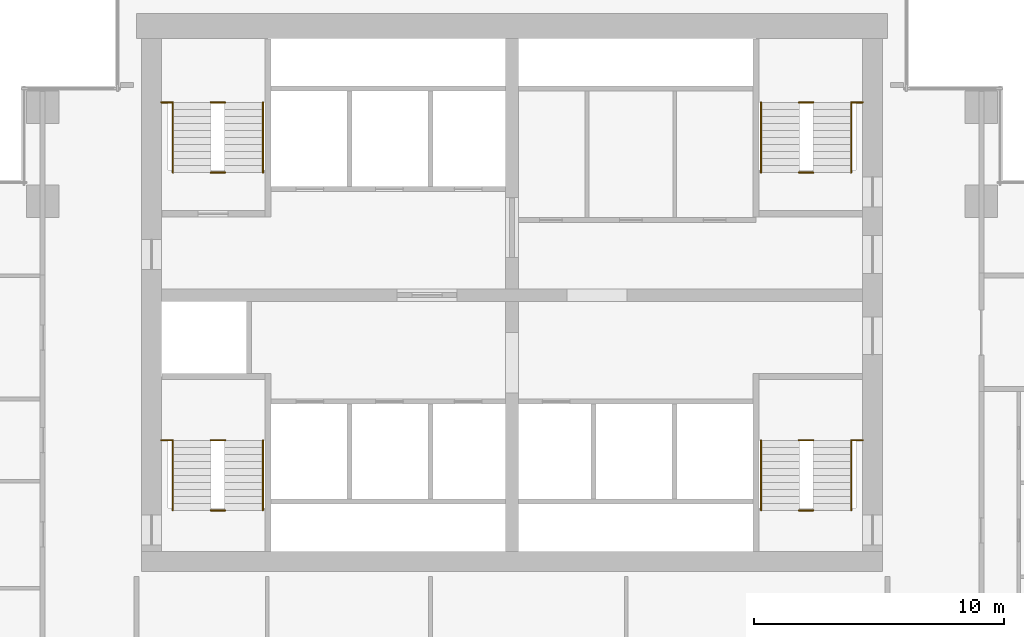
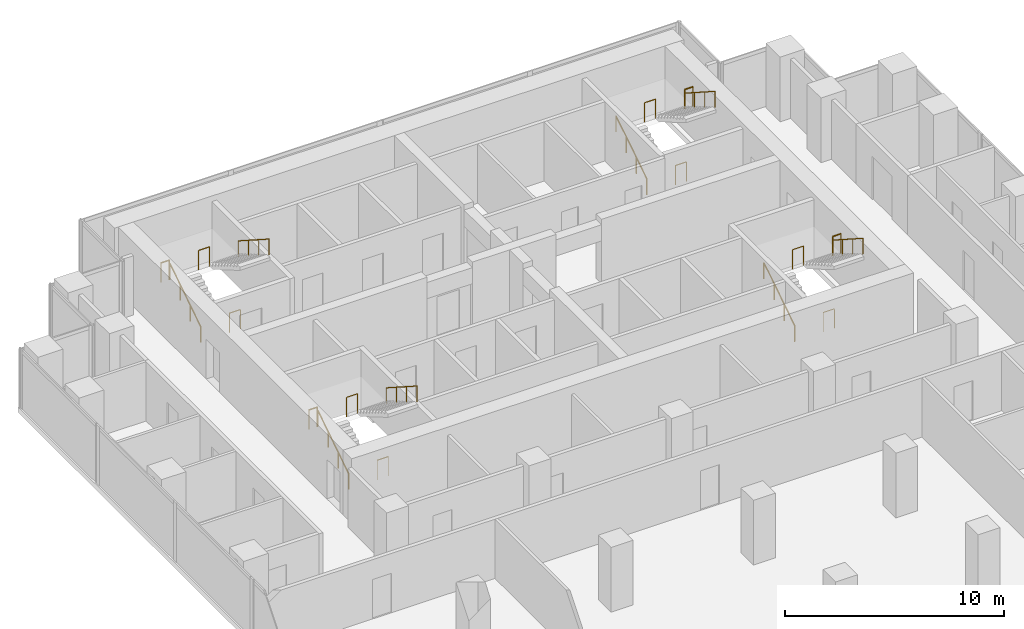
# One storey, part 10 of 10: 20 railings.
"""IFC4 building model written with IfcOpenShell, lengths in metres."""

from ifc_helpers import new_model, si_unit, direction, frame, origin, origin_2d, place, context, subcontext, project, spatial, circle, extrude, material, type_object, element, save


model = new_model("IFC4")

# Units and contexts
model_context = context("Model", 3, precision=1e-05, world=origin(), true_north=direction((0.0, 1.0)))
body_context = subcontext(model_context, "Body", "Model", "MODEL_VIEW")
ifc_project = project(units=[si_unit("LENGTHUNIT", "METRE"), si_unit("AREAUNIT", "SQUARE_METRE"), si_unit("VOLUMEUNIT", "CUBIC_METRE"), si_unit("PLANEANGLEUNIT", "RADIAN"), si_unit("MASSUNIT", "GRAM", prefix="KILO")], contexts=[model_context])

# Site, building, storey
site_placement = place(None, origin())
site = spatial("IfcSite", under=ifc_project, at=site_placement, CompositionType="ELEMENT")
building_placement = place(site_placement, origin())
building = spatial("IfcBuilding", under=site, at=building_placement, Name="Pilkhan Gate Tower", CompositionType="ELEMENT")
storey_placement = place(building_placement, frame((0.0, 0.0, 114.39990234375)))
storey = spatial("IfcBuildingStorey", under=building, at=storey_placement, Name="L28", CompositionType="ELEMENT", Elevation=114.39990234375)

# Railings
ifc_material_1 = material(Name="Black powder-coated steel tube", Category="steel")
railing_type_1 = type_object("IfcRailingType", Name="Stair handrail HR1", PredefinedType="HANDRAIL", material=ifc_material_1)
railing_1_placement = place(storey_placement, frame((84.949951171875, 73.89990234375, 0.0)))
element("IfcRailing", 1, at=railing_1_placement, inside=storey, type_object=railing_type_1, Name="Stair ST1 handrail L28", PredefinedType="HANDRAIL", context=body_context, shape_type="SweptSolid", body=[
    extrude(circle(Radius=0.02392578125, at=origin_2d()), frame((0.0, 0.0, 0.8759765625), z_axis=(0.0, 0.841176092368, 0.540761298198), x_axis=(-1.0, 0.0, 0.0)), (0.0, 0.0, 1.0), 3.32861328125),
    extrude(circle(Radius=0.02099609375, at=origin_2d()), origin(), (0.0, 0.0, 1.0), 0.851806640625),
    extrude(circle(Radius=0.02099609375, at=origin_2d()), frame((0.0, 0.933349609375, 0.60009765625)), (0.0, 0.0, 1.0), 0.851806640625),
    extrude(circle(Radius=0.02099609375, at=origin_2d()), frame((0.0, 1.86669921875, 1.199951171875)), (0.0, 0.0, 1.0), 0.851806640625),
    extrude(circle(Radius=0.02099609375, at=origin_2d()), frame((0.0, 2.800048828125, 1.800048828125)), (0.0, 0.0, 1.0), 0.851806640625),
])
railing_2_placement = place(storey_placement, frame((88.550048828125, 76.699951171875, 1.800048828125)))
element("IfcRailing", 2, at=railing_2_placement, inside=storey, type_object=railing_type_1, Name="Stair ST1 handrail L28", PredefinedType="HANDRAIL", context=body_context, shape_type="SweptSolid", body=[
    extrude(circle(Radius=0.02392578125, at=origin_2d()), frame((0.0, 0.0, 0.8759765625), z_axis=(0.0, -0.841176092368, 0.540761298198), x_axis=(1.0, 0.0, 0.0)), (0.0, 0.0, 1.0), 3.32861328125),
    extrude(circle(Radius=0.02099609375, at=origin_2d()), origin(), (0.0, 0.0, 1.0), 0.851806640625),
    extrude(circle(Radius=0.02099609375, at=origin_2d()), frame((0.0, -0.933349609375, 0.60009765625)), (0.0, 0.0, 1.0), 0.851806640625),
    extrude(circle(Radius=0.02099609375, at=origin_2d()), frame((0.0, -1.86669921875, 1.199951171875)), (0.0, 0.0, 1.0), 0.851806640625),
    extrude(circle(Radius=0.02099609375, at=origin_2d()), frame((0.0, -2.800048828125, 1.800048828125)), (0.0, 0.0, 1.0), 0.851806640625),
])
railing_3_placement = place(storey_placement, frame((61.449951171875, 73.89990234375, 0.0)))
element("IfcRailing", 3, at=railing_3_placement, inside=storey, type_object=railing_type_1, Name="Stair ST2 handrail L28", PredefinedType="HANDRAIL", context=body_context, shape_type="SweptSolid", body=[
    extrude(circle(Radius=0.02392578125, at=origin_2d()), frame((0.0, 0.0, 0.8759765625), z_axis=(0.0, 0.841176092368, 0.540761298198), x_axis=(-1.0, 0.0, 0.0)), (0.0, 0.0, 1.0), 3.32861328125),
    extrude(circle(Radius=0.02099609375, at=origin_2d()), origin(), (0.0, 0.0, 1.0), 0.851806640625),
    extrude(circle(Radius=0.02099609375, at=origin_2d()), frame((0.0, 0.933349609375, 0.60009765625)), (0.0, 0.0, 1.0), 0.851806640625),
    extrude(circle(Radius=0.02099609375, at=origin_2d()), frame((0.0, 1.86669921875, 1.199951171875)), (0.0, 0.0, 1.0), 0.851806640625),
    extrude(circle(Radius=0.02099609375, at=origin_2d()), frame((0.0, 2.800048828125, 1.800048828125)), (0.0, 0.0, 1.0), 0.851806640625),
])
railing_4_placement = place(storey_placement, frame((65.050048828125, 76.699951171875, 1.800048828125)))
element("IfcRailing", 4, at=railing_4_placement, inside=storey, type_object=railing_type_1, Name="Stair ST2 handrail L28", PredefinedType="HANDRAIL", context=body_context, shape_type="SweptSolid", body=[
    extrude(circle(Radius=0.02392578125, at=origin_2d()), frame((0.0, 0.0, 0.8759765625), z_axis=(0.0, -0.841176092368, 0.540761298198), x_axis=(1.0, 0.0, 0.0)), (0.0, 0.0, 1.0), 3.32861328125),
    extrude(circle(Radius=0.02099609375, at=origin_2d()), origin(), (0.0, 0.0, 1.0), 0.851806640625),
    extrude(circle(Radius=0.02099609375, at=origin_2d()), frame((0.0, -0.933349609375, 0.60009765625)), (0.0, 0.0, 1.0), 0.851806640625),
    extrude(circle(Radius=0.02099609375, at=origin_2d()), frame((0.0, -1.86669921875, 1.199951171875)), (0.0, 0.0, 1.0), 0.851806640625),
    extrude(circle(Radius=0.02099609375, at=origin_2d()), frame((0.0, -2.800048828125, 1.800048828125)), (0.0, 0.0, 1.0), 0.851806640625),
])
railing_5_placement = place(storey_placement, frame((61.449951171875, 87.39990234375, 0.0)))
element("IfcRailing", 5, at=railing_5_placement, inside=storey, type_object=railing_type_1, Name="Stair ST3 handrail L28", PredefinedType="HANDRAIL", context=body_context, shape_type="SweptSolid", body=[
    extrude(circle(Radius=0.02392578125, at=origin_2d()), frame((0.0, 0.0, 0.8759765625), z_axis=(0.0, 0.841176092368, 0.540761298198), x_axis=(-1.0, 0.0, 0.0)), (0.0, 0.0, 1.0), 3.32861328125),
    extrude(circle(Radius=0.02099609375, at=origin_2d()), origin(), (0.0, 0.0, 1.0), 0.851806640625),
    extrude(circle(Radius=0.02099609375, at=origin_2d()), frame((0.0, 0.933349609375, 0.60009765625)), (0.0, 0.0, 1.0), 0.851806640625),
    extrude(circle(Radius=0.02099609375, at=origin_2d()), frame((0.0, 1.86669921875, 1.199951171875)), (0.0, 0.0, 1.0), 0.851806640625),
    extrude(circle(Radius=0.02099609375, at=origin_2d()), frame((0.0, 2.800048828125, 1.800048828125)), (0.0, 0.0, 1.0), 0.851806640625),
])
railing_6_placement = place(storey_placement, frame((65.050048828125, 90.199951171875, 1.800048828125)))
element("IfcRailing", 6, at=railing_6_placement, inside=storey, type_object=railing_type_1, Name="Stair ST3 handrail L28", PredefinedType="HANDRAIL", context=body_context, shape_type="SweptSolid", body=[
    extrude(circle(Radius=0.02392578125, at=origin_2d()), frame((0.0, 0.0, 0.8759765625), z_axis=(0.0, -0.841176092368, 0.540761298198), x_axis=(1.0, 0.0, 0.0)), (0.0, 0.0, 1.0), 3.32861328125),
    extrude(circle(Radius=0.02099609375, at=origin_2d()), origin(), (0.0, 0.0, 1.0), 0.851806640625),
    extrude(circle(Radius=0.02099609375, at=origin_2d()), frame((0.0, -0.933349609375, 0.60009765625)), (0.0, 0.0, 1.0), 0.851806640625),
    extrude(circle(Radius=0.02099609375, at=origin_2d()), frame((0.0, -1.86669921875, 1.199951171875)), (0.0, 0.0, 1.0), 0.851806640625),
    extrude(circle(Radius=0.02099609375, at=origin_2d()), frame((0.0, -2.800048828125, 1.800048828125)), (0.0, 0.0, 1.0), 0.851806640625),
])
railing_7_placement = place(storey_placement, frame((84.949951171875, 87.39990234375, 0.0)))
element("IfcRailing", 7, at=railing_7_placement, inside=storey, type_object=railing_type_1, Name="Stair ST4 handrail L28", PredefinedType="HANDRAIL", context=body_context, shape_type="SweptSolid", body=[
    extrude(circle(Radius=0.02392578125, at=origin_2d()), frame((0.0, 0.0, 0.8759765625), z_axis=(0.0, 0.841176092368, 0.540761298198), x_axis=(-1.0, 0.0, 0.0)), (0.0, 0.0, 1.0), 3.32861328125),
    extrude(circle(Radius=0.02099609375, at=origin_2d()), origin(), (0.0, 0.0, 1.0), 0.851806640625),
    extrude(circle(Radius=0.02099609375, at=origin_2d()), frame((0.0, 0.933349609375, 0.60009765625)), (0.0, 0.0, 1.0), 0.851806640625),
    extrude(circle(Radius=0.02099609375, at=origin_2d()), frame((0.0, 1.86669921875, 1.199951171875)), (0.0, 0.0, 1.0), 0.851806640625),
    extrude(circle(Radius=0.02099609375, at=origin_2d()), frame((0.0, 2.800048828125, 1.800048828125)), (0.0, 0.0, 1.0), 0.851806640625),
])
railing_8_placement = place(storey_placement, frame((88.550048828125, 90.199951171875, 1.800048828125)))
element("IfcRailing", 8, at=railing_8_placement, inside=storey, type_object=railing_type_1, Name="Stair ST4 handrail L28", PredefinedType="HANDRAIL", context=body_context, shape_type="SweptSolid", body=[
    extrude(circle(Radius=0.02392578125, at=origin_2d()), frame((0.0, 0.0, 0.8759765625), z_axis=(0.0, -0.841176092368, 0.540761298198), x_axis=(1.0, 0.0, 0.0)), (0.0, 0.0, 1.0), 3.32861328125),
    extrude(circle(Radius=0.02099609375, at=origin_2d()), origin(), (0.0, 0.0, 1.0), 0.851806640625),
    extrude(circle(Radius=0.02099609375, at=origin_2d()), frame((0.0, -0.933349609375, 0.60009765625)), (0.0, 0.0, 1.0), 0.851806640625),
    extrude(circle(Radius=0.02099609375, at=origin_2d()), frame((0.0, -1.86669921875, 1.199951171875)), (0.0, 0.0, 1.0), 0.851806640625),
    extrude(circle(Radius=0.02099609375, at=origin_2d()), frame((0.0, -2.800048828125, 1.800048828125)), (0.0, 0.0, 1.0), 0.851806640625),
])
ifc_material_2 = material(Name="Black powder-coated steel balusters", Category="steel")
railing_type_2 = type_object("IfcRailingType", Name="Stair well guard G3", PredefinedType="GUARDRAIL", material=ifc_material_2)
railing_9_placement = place(storey_placement, frame((88.580078125, 76.699951171875, 1.800048828125)))
element("IfcRailing", 9, at=railing_9_placement, inside=storey, type_object=railing_type_2, Name="Stair ST1 well guard L28", PredefinedType="GUARDRAIL", context=body_context, shape_type="SweptSolid", body=[
    extrude(circle(Radius=0.02392578125, at=origin_2d()), frame((0.0, 0.0, 1.076171875), z_axis=(1.0, 0.0, 0.0), x_axis=(0.0, 1.0, 0.0)), (0.0, 0.0, 1.0), 0.43994140625),
    extrude(circle(Radius=0.02099609375, at=origin_2d()), origin(), (0.0, 0.0, 1.0), 1.052001953125),
    extrude(circle(Radius=0.02099609375, at=origin_2d()), frame((0.43994140625, 0.0, 0.0)), (0.0, 0.0, 1.0), 1.052001953125),
])
for number, where, name in (
    (10, (86.4599609375, 73.89990234375, 0.0), "Stair ST1 well guard L28"),
    (11, (86.4599609375, 76.699951171875, 1.800048828125), "Stair ST1 well guard L28"),
):
    element("IfcRailing", number, at=place(storey_placement, frame(where)), inside=storey, type_object=railing_type_2, Name=name, PredefinedType="GUARDRAIL", context=body_context, shape_type="SweptSolid", body=[
        extrude(circle(Radius=0.02392578125, at=origin_2d()), frame((0.0, 0.0, 1.076171875), z_axis=(1.0, 0.0, 0.0), x_axis=(0.0, 1.0, 0.0)), (0.0, 0.0, 1.0), 0.580078125),
        extrude(circle(Radius=0.02099609375, at=origin_2d()), origin(), (0.0, 0.0, 1.0), 1.052001953125),
        extrude(circle(Radius=0.02099609375, at=origin_2d()), frame((0.580078125, 0.0, 0.0)), (0.0, 0.0, 1.0), 1.052001953125),
    ])
railing_10_placement = place(storey_placement, frame((60.97998046875, 76.699951171875, 1.800048828125)))
element("IfcRailing", 12, at=railing_10_placement, inside=storey, type_object=railing_type_2, Name="Stair ST2 well guard L28", PredefinedType="GUARDRAIL", context=body_context, shape_type="SweptSolid", body=[
    extrude(circle(Radius=0.02392578125, at=origin_2d()), frame((0.0, 0.0, 1.076171875), z_axis=(1.0, 0.0, 0.0), x_axis=(0.0, 1.0, 0.0)), (0.0, 0.0, 1.0), 0.43994140625),
    extrude(circle(Radius=0.02099609375, at=origin_2d()), origin(), (0.0, 0.0, 1.0), 1.052001953125),
    extrude(circle(Radius=0.02099609375, at=origin_2d()), frame((0.43994140625, 0.0, 0.0)), (0.0, 0.0, 1.0), 1.052001953125),
])
for number, where, name in (
    (13, (62.9599609375, 73.89990234375, 0.0), "Stair ST2 well guard L28"),
    (14, (62.9599609375, 76.699951171875, 1.800048828125), "Stair ST2 well guard L28"),
):
    element("IfcRailing", number, at=place(storey_placement, frame(where)), inside=storey, type_object=railing_type_2, Name=name, PredefinedType="GUARDRAIL", context=body_context, shape_type="SweptSolid", body=[
        extrude(circle(Radius=0.02392578125, at=origin_2d()), frame((0.0, 0.0, 1.076171875), z_axis=(1.0, 0.0, 0.0), x_axis=(0.0, 1.0, 0.0)), (0.0, 0.0, 1.0), 0.580078125),
        extrude(circle(Radius=0.02099609375, at=origin_2d()), origin(), (0.0, 0.0, 1.0), 1.052001953125),
        extrude(circle(Radius=0.02099609375, at=origin_2d()), frame((0.580078125, 0.0, 0.0)), (0.0, 0.0, 1.0), 1.052001953125),
    ])
railing_11_placement = place(storey_placement, frame((60.97998046875, 90.199951171875, 1.800048828125)))
element("IfcRailing", 15, at=railing_11_placement, inside=storey, type_object=railing_type_2, Name="Stair ST3 well guard L28", PredefinedType="GUARDRAIL", context=body_context, shape_type="SweptSolid", body=[
    extrude(circle(Radius=0.02392578125, at=origin_2d()), frame((0.0, 0.0, 1.076171875), z_axis=(1.0, 0.0, 0.0), x_axis=(0.0, 1.0, 0.0)), (0.0, 0.0, 1.0), 0.43994140625),
    extrude(circle(Radius=0.02099609375, at=origin_2d()), origin(), (0.0, 0.0, 1.0), 1.052001953125),
    extrude(circle(Radius=0.02099609375, at=origin_2d()), frame((0.43994140625, 0.0, 0.0)), (0.0, 0.0, 1.0), 1.052001953125),
])
for number, where, name in (
    (16, (62.9599609375, 87.39990234375, 0.0), "Stair ST3 well guard L28"),
    (17, (62.9599609375, 90.199951171875, 1.800048828125), "Stair ST3 well guard L28"),
):
    element("IfcRailing", number, at=place(storey_placement, frame(where)), inside=storey, type_object=railing_type_2, Name=name, PredefinedType="GUARDRAIL", context=body_context, shape_type="SweptSolid", body=[
        extrude(circle(Radius=0.02392578125, at=origin_2d()), frame((0.0, 0.0, 1.076171875), z_axis=(1.0, 0.0, 0.0), x_axis=(0.0, 1.0, 0.0)), (0.0, 0.0, 1.0), 0.580078125),
        extrude(circle(Radius=0.02099609375, at=origin_2d()), origin(), (0.0, 0.0, 1.0), 1.052001953125),
        extrude(circle(Radius=0.02099609375, at=origin_2d()), frame((0.580078125, 0.0, 0.0)), (0.0, 0.0, 1.0), 1.052001953125),
    ])
railing_12_placement = place(storey_placement, frame((88.580078125, 90.199951171875, 1.800048828125)))
element("IfcRailing", 18, at=railing_12_placement, inside=storey, type_object=railing_type_2, Name="Stair ST4 well guard L28", PredefinedType="GUARDRAIL", context=body_context, shape_type="SweptSolid", body=[
    extrude(circle(Radius=0.02392578125, at=origin_2d()), frame((0.0, 0.0, 1.076171875), z_axis=(1.0, 0.0, 0.0), x_axis=(0.0, 1.0, 0.0)), (0.0, 0.0, 1.0), 0.43994140625),
    extrude(circle(Radius=0.02099609375, at=origin_2d()), origin(), (0.0, 0.0, 1.0), 1.052001953125),
    extrude(circle(Radius=0.02099609375, at=origin_2d()), frame((0.43994140625, 0.0, 0.0)), (0.0, 0.0, 1.0), 1.052001953125),
])
for number, where, name in (
    (19, (86.4599609375, 87.39990234375, 0.0), "Stair ST4 well guard L28"),
    (20, (86.4599609375, 90.199951171875, 1.800048828125), "Stair ST4 well guard L28"),
):
    element("IfcRailing", number, at=place(storey_placement, frame(where)), inside=storey, type_object=railing_type_2, Name=name, PredefinedType="GUARDRAIL", context=body_context, shape_type="SweptSolid", body=[
        extrude(circle(Radius=0.02392578125, at=origin_2d()), frame((0.0, 0.0, 1.076171875), z_axis=(1.0, 0.0, 0.0), x_axis=(0.0, 1.0, 0.0)), (0.0, 0.0, 1.0), 0.580078125),
        extrude(circle(Radius=0.02099609375, at=origin_2d()), origin(), (0.0, 0.0, 1.0), 1.052001953125),
        extrude(circle(Radius=0.02099609375, at=origin_2d()), frame((0.580078125, 0.0, 0.0)), (0.0, 0.0, 1.0), 1.052001953125),
    ])

save(model, "model.ifc")
